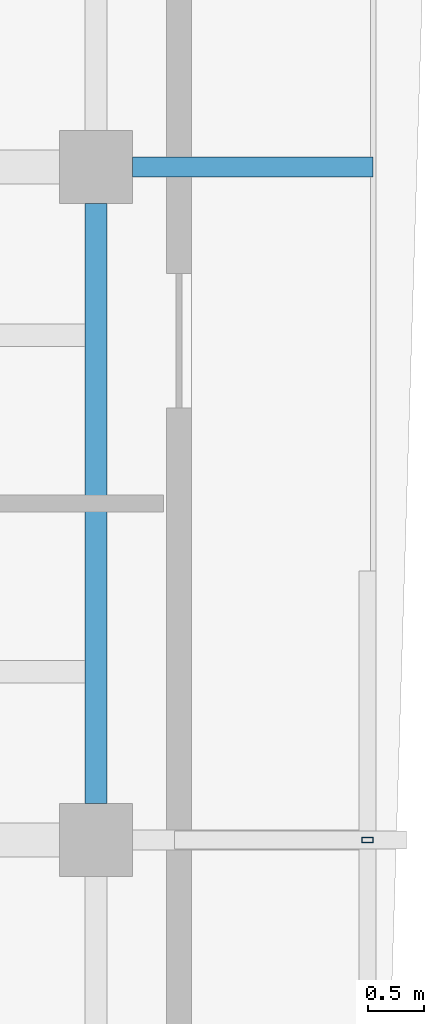
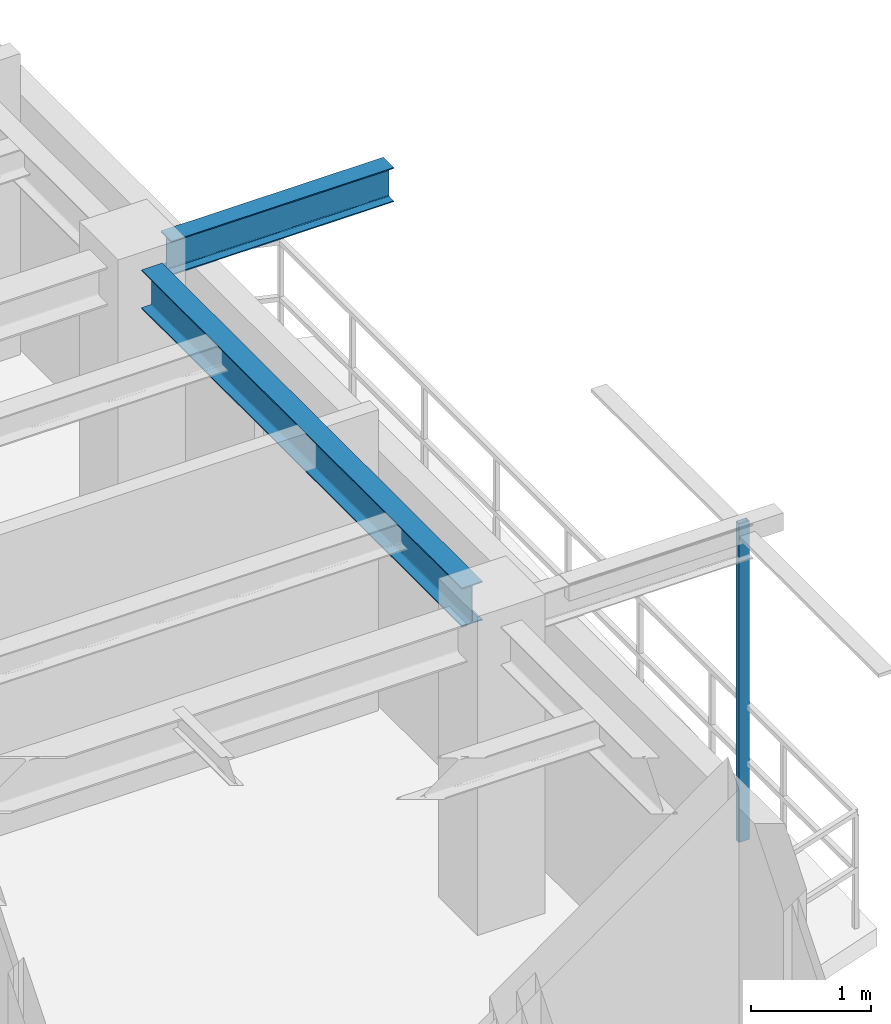
# One storey, part 6 of 14: 2 beams, 1 member.
"""IFC4 building model written with IfcOpenShell, lengths in metres."""

from ifc_helpers import new_model, si_unit, direction, frame, origin, origin_2d, place, context, subcontext, project, spatial, hollow_rectangle, i_section, extrude, source, transform, mapped, material, material_profile, profile_set, type_object, element, save


model = new_model("IFC4")

# Units and contexts
model_context = context("Model", 3, precision=1e-05, world=origin(), true_north=direction((0.0, 1.0)))
body_context = subcontext(model_context, "Body", "Model", "MODEL_VIEW")
ifc_project = project(units=[si_unit("LENGTHUNIT", "METRE"), si_unit("AREAUNIT", "SQUARE_METRE"), si_unit("VOLUMEUNIT", "CUBIC_METRE"), si_unit("PLANEANGLEUNIT", "RADIAN"), si_unit("MASSUNIT", "GRAM", prefix="KILO"), si_unit("THERMODYNAMICTEMPERATUREUNIT", "KELVIN"), si_unit("POWERUNIT", "WATT")], contexts=[model_context])

# Site, building, storey
site_placement = place(None, origin())
site = spatial("IfcSite", under=ifc_project, at=site_placement, CompositionType="ELEMENT")
building_placement = place(site_placement, origin())
building = spatial("IfcBuilding", under=site, at=building_placement, Name="Qiaomeng Ring Towers", CompositionType="ELEMENT")
storey_placement = place(building_placement, frame((0.0, 0.0, 243.75)))
storey = spatial("IfcBuildingStorey", under=building, at=storey_placement, Name="L71", CompositionType="ELEMENT", Elevation=243.75)

# Beams
ifc_material_1 = material(Name="Steel Q355B", Category="steel")
ifc_material_profile_1 = material_profile(ifc_material_1, i_section(OverallWidth=0.198974609375, OverallDepth=0.39599609375, WebThickness=0.007080078125, FlangeThickness=0.010986328125, FilletRadius=0.01611328125, at=origin_2d()), Name="HN 396x199x7x11")
ifc_profile_set_1 = profile_set([ifc_material_profile_1], Name="Steel Q355B")
beam_type_1 = type_object("IfcBeamType", Name="STR-BM-HN396", PredefinedType="SPANDREL", material=ifc_profile_set_1)
shared_shape_1 = source(origin(), body_context, "Body", "SweptSolid", [
    extrude(i_section(OverallWidth=0.198974609375, OverallDepth=0.39599609375, WebThickness=0.007080078125, FlangeThickness=0.010986328125, FilletRadius=0.01611328125, at=origin_2d()), origin(), (0.0, 0.0, 1.0), 5.35205078125),
])
beam_1_placement = place(storey_placement, frame((33.85009765625, 20.323974609375, 2.8720703125), z_axis=(0.0, 1.0, 0.0), x_axis=(-1.0, 0.0, 0.0)))
element("IfcBeam", 1, at=beam_1_placement, inside=storey, type_object=beam_type_1, Name="L71 beam STR-SP-L71-T1-E2-E3", PredefinedType="SPANDREL", context=body_context, shape_type="MappedRepresentation", body=[
    mapped(shared_shape_1, transform((0.0, 0.0, 0.0), x_axis=(1.0, 0.0, 0.0), y_axis=(0.0, 1.0, 0.0), z_axis=(0.0, 0.0, 1.0), scale=1.0)),
])
ifc_material_profile_2 = material_profile(ifc_material_1, i_section(OverallWidth=0.175048828125, OverallDepth=0.35009765625, WebThickness=0.007080078125, FlangeThickness=0.010986328125, FilletRadius=0.013916015625, at=origin_2d()), Name="HN 350x175x7x11")
ifc_profile_set_2 = profile_set([ifc_material_profile_2], Name="Steel Q355B")
beam_type_2 = type_object("IfcBeamType", Name="STR-BM-HN350", PredefinedType="JOIST", material=ifc_profile_set_2)
shared_shape_2 = source(origin(), body_context, "Body", "SweptSolid", [
    extrude(i_section(OverallWidth=0.175048828125, OverallDepth=0.35009765625, WebThickness=0.007080078125, FlangeThickness=0.010986328125, FilletRadius=0.013916015625, at=origin_2d()), origin(), (0.0, 0.0, 1.0), 2.14599609375),
])
beam_2_placement = place(storey_placement, frame((34.174072265625, 26.0, 2.89501953125), z_axis=(1.0, 0.0, 0.0), x_axis=(0.0, 1.0, 0.0)))
element("IfcBeam", 2, at=beam_2_placement, inside=storey, type_object=beam_type_2, Name="L71 beam STR-BALBM-L71-E3", PredefinedType="JOIST", context=body_context, shape_type="MappedRepresentation", body=[
    mapped(shared_shape_2, transform((0.0, 0.0, 0.0), x_axis=(1.0, 0.0, 0.0), y_axis=(0.0, 1.0, 0.0), z_axis=(0.0, 0.0, 1.0), scale=1.0)),
])

# Member
ifc_material_2 = material(Name="Stainless steel 316", Category="steel")
ifc_material_profile_3 = material_profile(ifc_material_2, hollow_rectangle(XDim=0.050048828125, YDim=0.10009765625, WallThickness=0.00390625, at=origin_2d()), Name="SS TRELLIS 100x50")
ifc_profile_set_3 = profile_set([ifc_material_profile_3], Name="Stainless steel 316")
member_type = type_object("IfcMemberType", Name="ARC-TR-POST2", PredefinedType="STUD", material=ifc_profile_set_3)
shared_shape_3 = source(origin(), body_context, "Body", "SweptSolid", [
    extrude(hollow_rectangle(XDim=0.050048828125, YDim=0.10009765625, WallThickness=0.00390625, at=origin_2d()), origin(), (0.0, 0.0, 1.0), 3.25),
])
member_placement = place(storey_placement, frame((36.27001953125, 20.0, -0.179931640625), z_axis=(0.0, 0.0, 1.0), x_axis=(0.0, 1.0, 0.0)))
element("IfcMember", 3, at=member_placement, inside=storey, type_object=member_type, Name="L71 Outer Ventilated Trellis Post E", PredefinedType="STUD", context=body_context, shape_type="MappedRepresentation", body=[
    mapped(shared_shape_3, transform((0.0, 0.0, 0.0), x_axis=(1.0, 0.0, 0.0), y_axis=(0.0, 1.0, 0.0), z_axis=(0.0, 0.0, 1.0), scale=1.0)),
])

save(model, "model.ifc")
